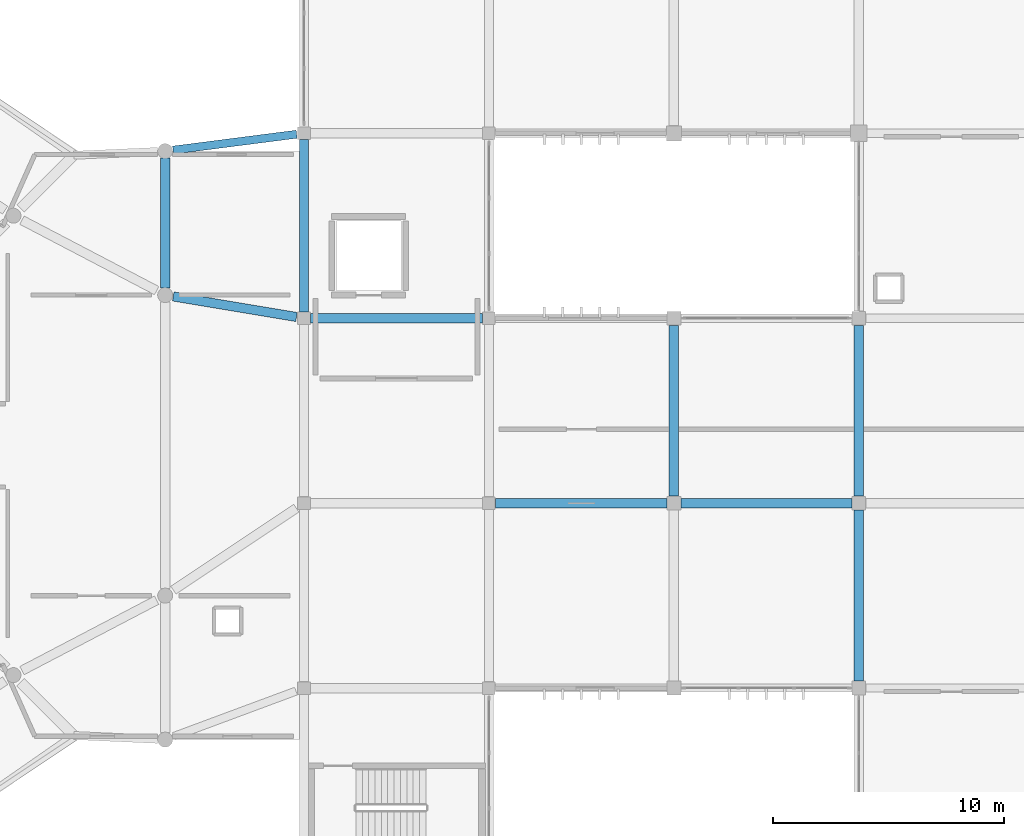
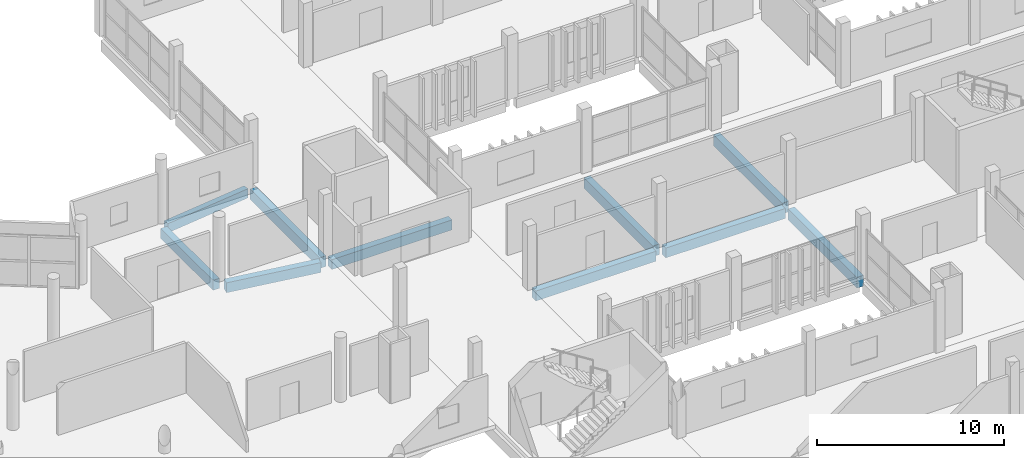
# One storey, part 21 of 83: 10 beams.
"""IFC4 building model written with IfcOpenShell, lengths in metres."""

from ifc_helpers import new_model, si_unit, direction, frame, origin, origin_2d, place, context, subcontext, project, spatial, rectangle, extrude, material, material_profile, profile_set, type_object, element, save


model = new_model("IFC4")

# Units and contexts
model_context = context("Model", 3, precision=1e-05, world=origin(), true_north=direction((0.0, 1.0)))
body_context = subcontext(model_context, "Body", "Model", "MODEL_VIEW")
ifc_project = project(units=[si_unit("LENGTHUNIT", "METRE"), si_unit("AREAUNIT", "SQUARE_METRE"), si_unit("VOLUMEUNIT", "CUBIC_METRE"), si_unit("PLANEANGLEUNIT", "RADIAN"), si_unit("MASSUNIT", "GRAM", prefix="KILO")], contexts=[model_context])

# Site, building, storey
site_placement = place(None, origin())
site = spatial("IfcSite", under=ifc_project, at=site_placement, CompositionType="ELEMENT")
building_placement = place(site_placement, origin())
building = spatial("IfcBuilding", under=site, at=building_placement, Name="Jelvoka-Kovrelna Polytechnic", CompositionType="ELEMENT")
storey_placement = place(building_placement, frame((0.0, 0.0, 13.800048828125)))
storey = spatial("IfcBuildingStorey", under=building, at=storey_placement, Name="L04", CompositionType="ELEMENT", Elevation=13.800048828125)

# Beams
ifc_material_1 = material(Name="Concrete C40/50", Category="concrete")
ifc_material_profile_1 = material_profile(ifc_material_1, rectangle(XDim=0.39990234375, YDim=0.64990234375, at=origin_2d()), Name="RC 400x650")
ifc_profile_set_1 = profile_set([ifc_material_profile_1], Name="Concrete C40/50")
beam_type_1 = type_object("IfcBeamType", Name="Beam_RC_400x650", PredefinedType="BEAM", material=ifc_profile_set_1)
beam_1_placement = place(storey_placement, frame((56.280029296875, 40.0, -0.574951171875), z_axis=(1.0, 0.0, 0.0), x_axis=(0.0, 1.0, 0.0)))
element("IfcBeam", 1, at=beam_1_placement, inside=storey, type_object=beam_type_1, Name="L04 beam 1183", PredefinedType="BEAM", context=body_context, shape_type="SweptSolid", body=[
    extrude(rectangle(XDim=0.39990234375, YDim=0.64990234375, at=origin_2d()), origin(), (0.0, 0.0, 1.0), 7.4150390625),
])
beam_2_placement = place(storey_placement, frame((64.304931640625, 40.0, -0.574951171875), z_axis=(1.0, 0.0, 0.0), x_axis=(0.0, 1.0, 0.0)))
element("IfcBeam", 2, at=beam_2_placement, inside=storey, type_object=beam_type_1, Name="L04 beam 1184", PredefinedType="BEAM", context=body_context, shape_type="SweptSolid", body=[
    extrude(rectangle(XDim=0.39990234375, YDim=0.64990234375, at=origin_2d()), origin(), (0.0, 0.0, 1.0), 7.39013671875),
])
beam_3_placement = place(storey_placement, frame((48.280029296875, 48.0, -0.574951171875), z_axis=(1.0, 0.0, 0.0), x_axis=(0.0, 1.0, 0.0)))
element("IfcBeam", 3, at=beam_3_placement, inside=storey, type_object=beam_type_1, Name="L04 beam 1346", PredefinedType="BEAM", context=body_context, shape_type="SweptSolid", body=[
    extrude(rectangle(XDim=0.39990234375, YDim=0.64990234375, at=origin_2d()), origin(), (0.0, 0.0, 1.0), 7.43994140625),
])
beam_4_placement = place(storey_placement, frame((42.34912109375, 48.94189453125, -0.574951171875), z_axis=(0.986391481507, -0.164413640583, 0.0), x_axis=(0.164413640583, 0.986391481507, 0.0)))
element("IfcBeam", 4, at=beam_4_placement, inside=storey, type_object=beam_type_1, Name="L04 beam 2594", PredefinedType="BEAM", context=body_context, shape_type="SweptSolid", body=[
    extrude(rectangle(XDim=0.39990234375, YDim=0.64990234375, at=origin_2d()), origin(), (0.0, 0.0, 1.0), 5.403564453125),
])
beam_5_placement = place(storey_placement, frame((42.0, 49.304931640625, -0.574951171875), z_axis=(0.0, 1.0, 0.0), x_axis=(-1.0, 0.0, 0.0)))
element("IfcBeam", 5, at=beam_5_placement, inside=storey, type_object=beam_type_1, Name="L04 beam 2599", PredefinedType="BEAM", context=body_context, shape_type="SweptSolid", body=[
    extrude(rectangle(XDim=0.39990234375, YDim=0.64990234375, at=origin_2d()), origin(), (0.0, 0.0, 1.0), 5.617919921875),
])
ifc_material_2 = material(Name="Concrete C40/50", Category="concrete")
ifc_material_profile_2 = material_profile(ifc_material_2, rectangle(XDim=0.39990234375, YDim=0.699951171875, at=origin_2d()), Name="RC 400x700")
ifc_profile_set_2 = profile_set([ifc_material_profile_2], Name="Concrete C40/50")
beam_type_2 = type_object("IfcBeamType", Name="Beam_RC_400x700", PredefinedType="BEAM", material=ifc_profile_set_2)
for number, where, z_axis, x_axis, name in (
    (6, (64.0, 40.304931640625, -0.60009765625), (0.0, 1.0, 0.0), (-1.0, 0.0, 0.0), "L04 beam 1199"),
    (7, (72.0, 32.304931640625, -0.60009765625), (0.0, 1.0, 0.0), (-1.0, 0.0, 0.0), "L04 beam 1200"),
    (8, (72.0, 40.304931640625, -0.60009765625), (0.0, 1.0, 0.0), (-1.0, 0.0, 0.0), "L04 beam 1201"),
):
    element("IfcBeam", number, at=place(storey_placement, frame(where, z_axis=z_axis, x_axis=x_axis)), inside=storey, type_object=beam_type_2, Name=name, PredefinedType="BEAM", context=body_context, shape_type="SweptSolid", body=[
        extrude(rectangle(XDim=0.39990234375, YDim=0.699951171875, at=origin_2d()), origin(), (0.0, 0.0, 1.0), 7.39013671875),
    ])
beam_6_placement = place(storey_placement, frame((48.0, 48.280029296875, -0.60009765625), z_axis=(0.0, 1.0, 0.0), x_axis=(-1.0, 0.0, 0.0)))
element("IfcBeam", 9, at=beam_6_placement, inside=storey, type_object=beam_type_2, Name="L04 beam 1354", PredefinedType="BEAM", context=body_context, shape_type="SweptSolid", body=[
    extrude(rectangle(XDim=0.39990234375, YDim=0.699951171875, at=origin_2d()), origin(), (0.0, 0.0, 1.0), 7.43994140625),
])
ifc_material_3 = material(Name="Concrete C40/50", Category="concrete")
ifc_material_profile_3 = material_profile(ifc_material_3, rectangle(XDim=0.35009765625, YDim=0.60009765625, at=origin_2d()), Name="RC 350x600")
ifc_profile_set_3 = profile_set([ifc_material_profile_3], Name="Concrete C40/50")
beam_type_3 = type_object("IfcBeamType", Name="Spandrel_RC_350x600", PredefinedType="SPANDREL", material=ifc_profile_set_3)
beam_7_placement = place(storey_placement, frame((42.341064453125, 55.271728515625, -0.550048828125), z_axis=(0.991819725774, 0.127646510195, 0.0), x_axis=(-0.127646510195, 0.991819725774, 0.0)))
element("IfcBeam", 10, at=beam_7_placement, inside=storey, type_object=beam_type_3, Name="L04 beam 2590", PredefinedType="SPANDREL", context=body_context, shape_type="SweptSolid", body=[
    extrude(rectangle(XDim=0.35009765625, YDim=0.60009765625, at=origin_2d()), origin(), (0.0, 0.0, 1.0), 5.389892578125),
])

save(model, "model.ifc")
